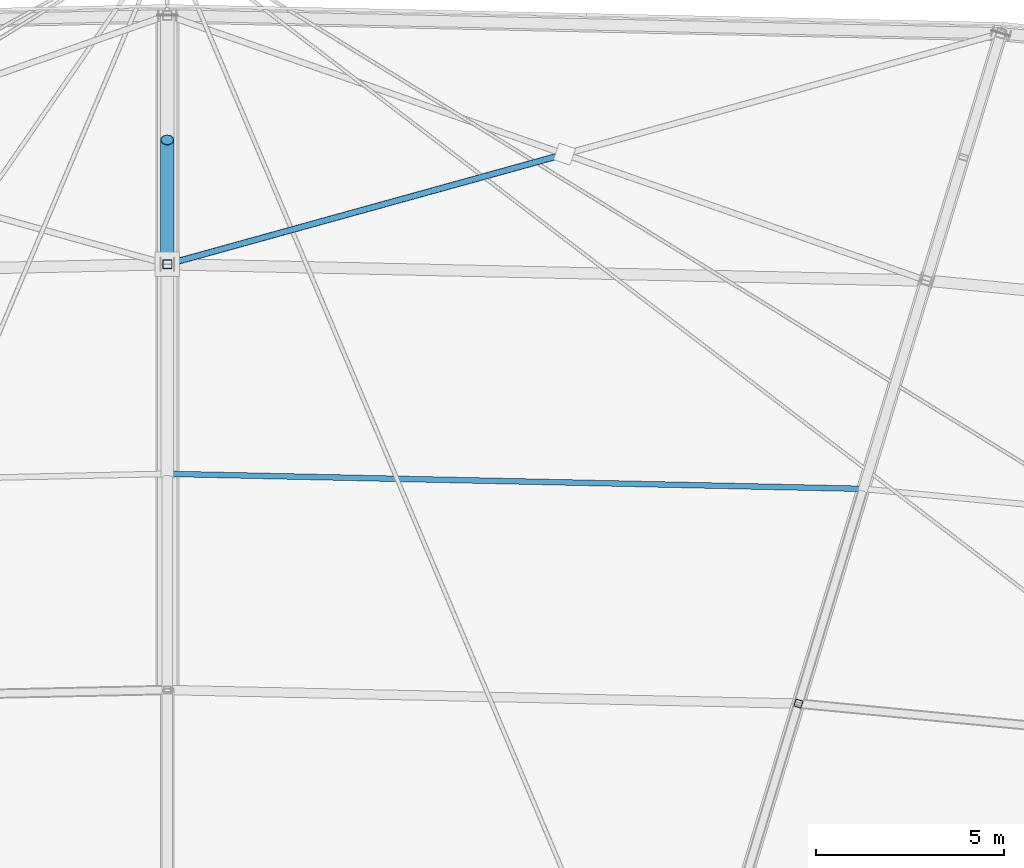
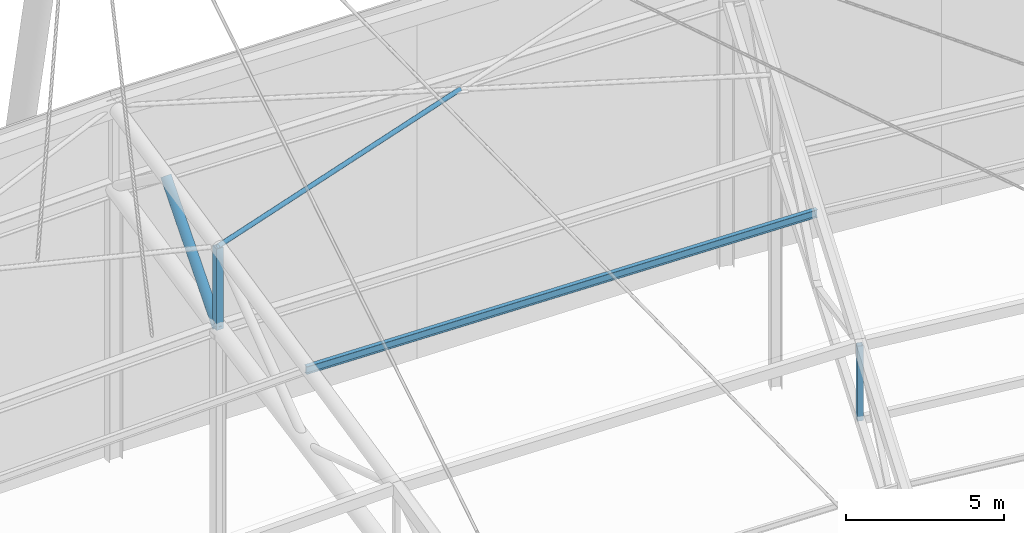
# One storey, part 96 of 143: 5 members.
"""IFC4 building model written with IfcOpenShell, lengths in metres."""

from ifc_helpers import new_model, si_unit, direction, frame, origin, origin_2d, place, context, subcontext, project, spatial, hollow_rectangle, hollow_circle, i_section, extrude, material, material_profile, profile_set, type_object, element, save


model = new_model("IFC4")

# Units and contexts
model_context = context("Model", 3, precision=1e-05, world=origin(), true_north=direction((0.0, 1.0)))
body_context = subcontext(model_context, "Body", "Model", "MODEL_VIEW")
ifc_project = project(units=[si_unit("LENGTHUNIT", "METRE"), si_unit("AREAUNIT", "SQUARE_METRE"), si_unit("VOLUMEUNIT", "CUBIC_METRE"), si_unit("PLANEANGLEUNIT", "RADIAN"), si_unit("MASSUNIT", "GRAM", prefix="KILO")], contexts=[model_context])

# Site, building, storey
site_placement = place(None, origin())
site = spatial("IfcSite", under=ifc_project, at=site_placement, CompositionType="ELEMENT")
building_placement = place(site_placement, origin())
building = spatial("IfcBuilding", under=site, at=building_placement, Name="Mphavela Belvedere Stadium", CompositionType="ELEMENT")
storey_placement = place(building_placement, frame((0.0, 0.0, 28.800048828125)))
storey = spatial("IfcBuildingStorey", under=building, at=storey_placement, Name="RF", CompositionType="ELEMENT", Elevation=28.800048828125)

# Members
ifc_material_1 = material(Name="Steel S355", Category="steel")
ifc_material_profile_1 = material_profile(ifc_material_1, hollow_circle(Radius=0.177734375, WallThickness=0.01611328125, at=origin_2d()), Name="CHS 355.6x16")
ifc_profile_set_1 = profile_set([ifc_material_profile_1], Name="Steel S355")
member_type_1 = type_object("IfcMemberType", Name="MEM-DIAG-355", PredefinedType="BRACE", material=ifc_profile_set_1)
member_1_placement = place(storey_placement, frame((115.0, 157.36865234375, 12.941162109375), z_axis=(0.0, -0.648979290654, -0.76080607273), x_axis=(1.0, 0.0, 0.0)))
element("IfcMember", 1, at=member_1_placement, inside=storey, type_object=member_type_1, Name="Radial roof truss RT-13 web diagonal D2", PredefinedType="BRACE", context=body_context, shape_type="SweptSolid", body=[
    extrude(hollow_circle(Radius=0.177734375, WallThickness=0.01611328125, at=origin_2d()), origin(), (0.0, 0.0, 1.0), 5.0869140625),
])
ifc_material_2 = material(Name="Steel S355", Category="steel")
ifc_material_profile_2 = material_profile(ifc_material_2, hollow_rectangle(XDim=0.199951171875, YDim=0.199951171875, WallThickness=0.010009765625, at=origin_2d()), Name="SHS 200x200x10")
ifc_profile_set_2 = profile_set([ifc_material_profile_2], Name="Steel S355")
member_type_2 = type_object("IfcMemberType", Name="MEM-POST-SHS200", PredefinedType="POST", material=ifc_profile_set_2)
member_2_placement = place(storey_placement, frame((131.742431640625, 142.413330078125, 6.734375), z_axis=(0.0, 0.0, 1.0), x_axis=(0.289198876314, 0.957269037387, 0.0)))
element("IfcMember", 2, at=member_2_placement, inside=storey, type_object=member_type_2, Name="Radial roof truss RT-12 post P3", PredefinedType="POST", context=body_context, shape_type="SweptSolid", body=[
    extrude(hollow_rectangle(XDim=0.199951171875, YDim=0.199951171875, WallThickness=0.010009765625, at=origin_2d()), origin(), (0.0, 0.0, 1.0), 2.89990234375),
])
ifc_material_3 = material(Name="Steel S355", Category="steel")
ifc_material_profile_3 = material_profile(ifc_material_3, hollow_rectangle(XDim=0.25, YDim=0.25, WallThickness=0.012451171875, at=origin_2d()), Name="SHS 250x250x12.5")
ifc_profile_set_3 = profile_set([ifc_material_profile_3], Name="Steel S355")
member_type_3 = type_object("IfcMemberType", Name="MEM-POST-SHS250", PredefinedType="POST", material=ifc_profile_set_3)
member_3_placement = place(storey_placement, frame((115.0, 154.0673828125, 9.071044921875), z_axis=(0.0, 0.0, 1.0), x_axis=(0.0, 1.0, 0.0)))
element("IfcMember", 3, at=member_3_placement, inside=storey, type_object=member_type_3, Name="Radial roof truss RT-13 post P2", PredefinedType="POST", context=body_context, shape_type="SweptSolid", body=[
    extrude(hollow_rectangle(XDim=0.25, YDim=0.25, WallThickness=0.012451171875, at=origin_2d()), origin(), (0.0, 0.0, 1.0), 3.14990234375),
])
ifc_material_4 = material(Name="Steel S355", Category="steel")
ifc_material_profile_4 = material_profile(ifc_material_4, i_section(OverallWidth=0.14990234375, OverallDepth=0.300048828125, WebThickness=0.007080078125, FlangeThickness=0.0107421875, at=origin_2d()), Name="IPE 300")
ifc_profile_set_4 = profile_set([ifc_material_profile_4], Name="Steel S355")
member_type_4 = type_object("IfcMemberType", Name="MEM-PURLIN-IPE300", PredefinedType="PURLIN", material=ifc_profile_set_4)
member_4_placement = place(storey_placement, frame((133.463623046875, 148.10986328125, 10.681884765625), z_axis=(-0.999740701421, 0.021534340945, 0.007402842805), x_axis=(-0.021534931032, -0.999768096483, 0.0)))
element("IfcMember", 4, at=member_4_placement, inside=storey, type_object=member_type_4, Name="Saddle canopy steel purlin 12-2", PredefinedType="PURLIN", context=body_context, shape_type="SweptSolid", body=[
    extrude(i_section(OverallWidth=0.14990234375, OverallDepth=0.300048828125, WebThickness=0.007080078125, FlangeThickness=0.0107421875, at=origin_2d()), origin(), (0.0, 0.0, 1.0), 18.468505859375),
])
ifc_material_5 = material(Name="Steel S355", Category="steel")
ifc_material_profile_5 = material_profile(ifc_material_5, hollow_circle(Radius=0.084228515625, WallThickness=0.010009765625, at=origin_2d()), Name="CHS 168.3x10")
ifc_profile_set_5 = profile_set([ifc_material_profile_5], Name="Steel S355")
member_type_5 = type_object("IfcMemberType", Name="MEM-ROOF-XBRACE", PredefinedType="BRACE", material=ifc_profile_set_5)
member_5_placement = place(storey_placement, frame((125.53857421875, 156.987060546875, 12.829345703125), z_axis=(-0.962211370213, -0.266577532697, -0.055549060246), x_axis=(0.266989775878, -0.963699361615, 0.0)))
element("IfcMember", 5, at=member_5_placement, inside=storey, type_object=member_type_5, Name="Roof diaphragm split X-brace B2 12", PredefinedType="BRACE", context=body_context, shape_type="SweptSolid", body=[
    extrude(hollow_circle(Radius=0.084228515625, WallThickness=0.010009765625, at=origin_2d()), origin(), (0.0, 0.0, 1.0), 10.952392578125),
])

save(model, "model.ifc")
